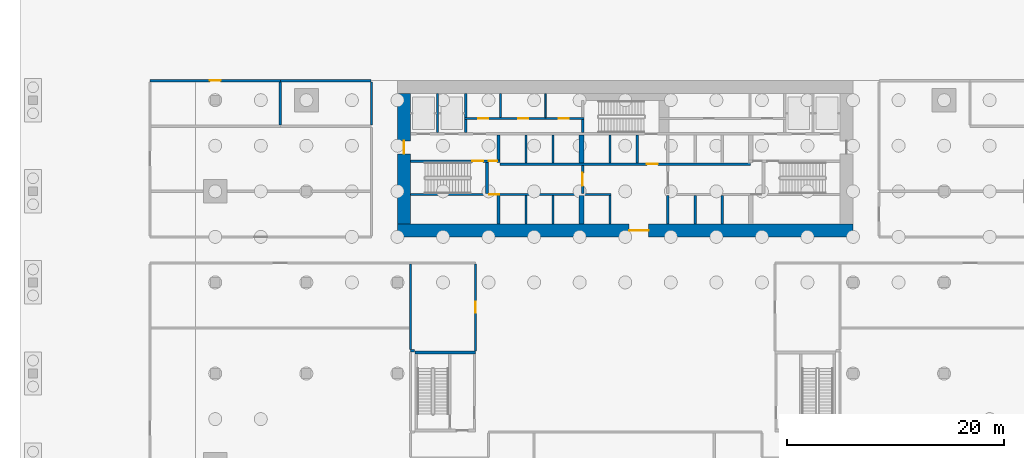
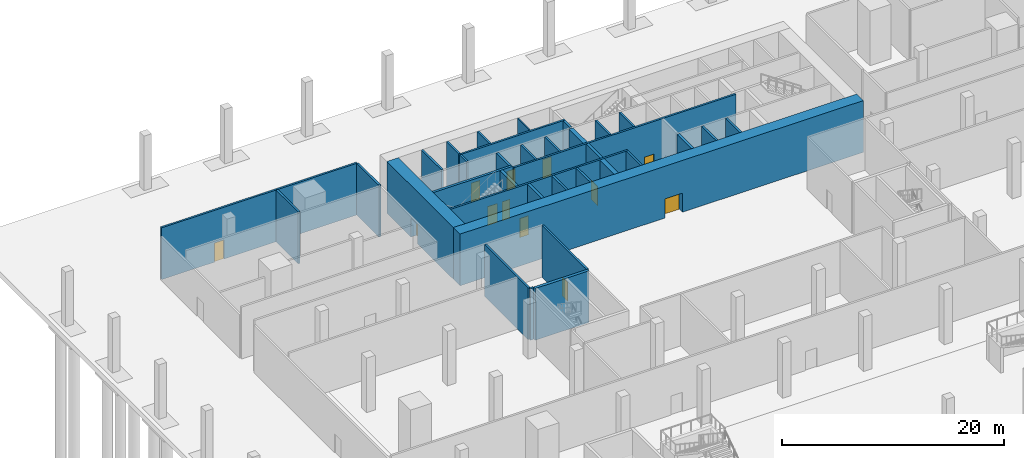
# One storey, part 6 of 16: 36 walls, 12 doors, 12 openings.
"""IFC4 building model written with IfcOpenShell, lengths in metres."""

from ifc_helpers import new_model, si_unit, direction, frame, frame_2d, origin, place, context, subcontext, project, spatial, rectangle, extrude, material, layer, layer_set, type_object, element, fill, save


model = new_model("IFC4")

# Units and contexts
model_context = context("Model", 3, precision=1e-05, world=origin(), true_north=direction((0.0, 1.0)))
body_context = subcontext(model_context, "Body", "Model", "MODEL_VIEW")
ifc_project = project(units=[si_unit("LENGTHUNIT", "METRE"), si_unit("AREAUNIT", "SQUARE_METRE"), si_unit("VOLUMEUNIT", "CUBIC_METRE"), si_unit("PLANEANGLEUNIT", "RADIAN"), si_unit("MASSUNIT", "GRAM", prefix="KILO")], contexts=[model_context])

# Site, building, storey
site_placement = place(None, origin())
site = spatial("IfcSite", under=ifc_project, at=site_placement, CompositionType="ELEMENT")
building_placement = place(site_placement, origin())
building = spatial("IfcBuilding", under=site, at=building_placement, Name="Saffron Gate Tower", CompositionType="ELEMENT")
storey_placement = place(building_placement, frame((0.0, 0.0, -6.0)))
storey = spatial("IfcBuildingStorey", under=building, at=storey_placement, Name="B1", CompositionType="ELEMENT", Elevation=-6.0)

# Wall, opening, door
ifc_material_1 = material(Name="Concrete C70", Category="concrete")
ifc_layer_1 = layer(ifc_material_1, 1.199951171875)
ifc_layer_set_1 = layer_set([ifc_layer_1], Name="CW1 RC core wall 1200 C70")
wall_type_1 = type_object("IfcWallType", Name="CW1 RC core wall 1200 C70", PredefinedType="SOLIDWALL", material=ifc_layer_set_1)
wall_1_placement = place(storey_placement, frame((66.60009765625, 61.800048828125, 0.0), z_axis=(0.0, 0.0, 1.0), x_axis=(1.0, 0.0, 0.0)))
wall_1 = element("IfcWall", 1, at=wall_1_placement, inside=storey, type_object=wall_type_1, Name="Wall CW1-B1-1", PredefinedType="SOLIDWALL", context=body_context, shape_type="SweptSolid", body=[
    extrude(rectangle(XDim=42.0, YDim=1.199951171875, at=frame_2d((21.0, 0.0))), origin(), (0.0, 0.0, 1.0), 5.699951171875),
])
opening_1_placement = place(wall_1_placement, frame((21.35009765625, 0.0, 0.0)))
opening_1 = element("IfcOpeningElement", 2, at=opening_1_placement, cuts=wall_1, Name="Opening CR-09", PredefinedType="OPENING", context=body_context, shape_type="SweptSolid", body=[
    extrude(rectangle(XDim=1.800048828125, YDim=2.10009765625, at=frame_2d((0.89990234375, 1.050048828125))), frame((0.0, 0.60986328125, 0.0), z_axis=(0.0, -1.0, 0.0), x_axis=(1.0, 0.0, 0.0)), (0.0, 0.0, 1.0), 1.219970703125),
])
ifc_material_2 = material(Name="Steel fire door set", Category="steel")
door_type_1 = type_object("IfcDoorType", Name="CD1 Core entrance door 1800x2100 EI 120", OperationType="NOTDEFINED", PredefinedType="DOOR", material=ifc_material_2)
door_1_placement = place(opening_1_placement, origin())
door_1 = element("IfcDoor", 3, at=door_1_placement, inside=storey, type_object=door_type_1, Name="DOOR CR-09", OperationType="DOUBLE_DOOR_SINGLE_SWING", OverallHeight=2.10009765625, OverallWidth=1.800048828125, PredefinedType="DOOR", context=body_context, shape_type="SweptSolid", body=[
    extrude(rectangle(XDim=1.800048828125, YDim=2.10009765625, at=frame_2d((0.89990234375, 1.050048828125))), frame((0.0, 0.02490234375, 0.0), z_axis=(0.0, -1.0, 0.0), x_axis=(1.0, 0.0, 0.0)), (0.0, 0.0, 1.0), 0.050048828125),
])
fill(opening_1, door_1)

wall_2_placement = place(storey_placement, frame((67.199951171875, 62.39990234375, 0.0), z_axis=(0.0, 0.0, 1.0), x_axis=(0.0, 1.0, 0.0)))
wall_2 = element("IfcWall", 4, at=wall_2_placement, inside=storey, type_object=wall_type_1, Name="Wall CW1-B1-3", PredefinedType="SOLIDWALL", context=body_context, shape_type="SweptSolid", body=[
    extrude(rectangle(XDim=12.0, YDim=1.199951171875, at=frame_2d((6.0, 0.0))), origin(), (0.0, 0.0, 1.0), 5.699951171875),
])
opening_2_placement = place(wall_2_placement, frame((6.449951171875, 0.0, 0.0)))
opening_2 = element("IfcOpeningElement", 5, at=opening_2_placement, cuts=wall_2, Name="Opening CR-10", PredefinedType="OPENING", context=body_context, shape_type="SweptSolid", body=[
    extrude(rectangle(XDim=1.199951171875, YDim=2.10009765625, at=frame_2d((0.60009765625, 1.050048828125))), frame((0.0, 0.60986328125, 0.0), z_axis=(0.0, -1.0, 0.0), x_axis=(1.0, 0.0, 0.0)), (0.0, 0.0, 1.0), 1.219970703125),
])
door_type_2 = type_object("IfcDoorType", Name="CD7 Core entrance door 1200x2100 EI 120", OperationType="NOTDEFINED", PredefinedType="DOOR", material=ifc_material_2)
door_2_placement = place(opening_2_placement, origin())
door_2 = element("IfcDoor", 6, at=door_2_placement, inside=storey, type_object=door_type_2, Name="DOOR CR-10", OperationType="SINGLE_SWING_LEFT", OverallHeight=2.10009765625, OverallWidth=1.199951171875, PredefinedType="DOOR", context=body_context, shape_type="SweptSolid", body=[
    extrude(rectangle(XDim=1.199951171875, YDim=2.10009765625, at=frame_2d((0.60009765625, 1.050048828125))), frame((0.0, 0.02490234375, 0.0), z_axis=(0.0, -1.0, 0.0), x_axis=(1.0, 0.0, 0.0)), (0.0, 0.0, 1.0), 0.050048828125),
])
fill(opening_2, door_2)

# Walls
ifc_layer_2 = layer(ifc_material_1, 0.25)
ifc_layer_set_2 = layer_set([ifc_layer_2], Name="CW2 RC core wall 250 C70")
wall_type_2 = type_object("IfcWallType", Name="CW2 RC core wall 250 C70", PredefinedType="SOLIDWALL", material=ifc_layer_set_2)
for number, where, z_axis, x_axis, name in (
    (7, (75.925048828125, 62.39990234375, 0.0), (0.0, 0.0, 1.0), (0.0, 1.0, 0.0), "Wall CW2-B1-5"),
    (8, (91.52490234375, 62.39990234375, 0.0), (0.0, 0.0, 1.0), (0.0, 1.0, 0.0), "Wall CW2-B1-10"),
):
    element("IfcWall", number, at=place(storey_placement, frame(where, z_axis=z_axis, x_axis=x_axis)), inside=storey, type_object=wall_type_2, Name=name, PredefinedType="SOLIDWALL", context=body_context, shape_type="SweptSolid", body=[
        extrude(rectangle(XDim=2.60009765625, YDim=0.25, at=frame_2d((1.300048828125, 0.0))), origin(), (0.0, 0.0, 1.0), 5.699951171875),
    ])

# Wall, opening, door
wall_3_placement = place(storey_placement, frame((83.675048828125, 65.199951171875, 0.0), z_axis=(0.0, 0.0, 1.0), x_axis=(0.0, 1.0, 0.0)))
wall_3 = element("IfcWall", 9, at=wall_3_placement, inside=storey, type_object=wall_type_2, Name="Wall CW2-B1-17", PredefinedType="SOLIDWALL", context=body_context, shape_type="SweptSolid", body=[
    extrude(rectangle(XDim=2.60009765625, YDim=0.25, at=frame_2d((1.300048828125, 0.0))), origin(), (0.0, 0.0, 1.0), 5.699951171875),
])
opening_3_placement = place(wall_3_placement, frame((0.699951171875, 0.0, 0.0)))
opening_3 = element("IfcOpeningElement", 10, at=opening_3_placement, cuts=wall_3, Name="Opening CR-07", PredefinedType="OPENING", context=body_context, shape_type="SweptSolid", body=[
    extrude(rectangle(XDim=1.199951171875, YDim=2.10009765625, at=frame_2d((0.60009765625, 1.050048828125))), frame((0.0, 0.135009765625, 0.0), z_axis=(0.0, -1.0, 0.0), x_axis=(1.0, 0.0, 0.0)), (0.0, 0.0, 1.0), 0.27001953125),
])
door_type_3 = type_object("IfcDoorType", Name="CD3 Lobby door 1200x2100 EI 120", OperationType="NOTDEFINED", PredefinedType="DOOR", material=ifc_material_2)
door_3_placement = place(opening_3_placement, origin())
door_3 = element("IfcDoor", 11, at=door_3_placement, inside=storey, type_object=door_type_3, Name="DOOR CR-07", OperationType="SINGLE_SWING_RIGHT", OverallHeight=2.10009765625, OverallWidth=1.199951171875, PredefinedType="DOOR", context=body_context, shape_type="SweptSolid", body=[
    extrude(rectangle(XDim=1.199951171875, YDim=2.10009765625, at=frame_2d((0.60009765625, 1.050048828125))), frame((0.0, 0.02490234375, 0.0), z_axis=(0.0, -1.0, 0.0), x_axis=(1.0, 0.0, 0.0)), (0.0, 0.0, 1.0), 0.050048828125),
])
fill(opening_3, door_3)

# Wall, openings, doors
wall_4_placement = place(storey_placement, frame((67.800048828125, 68.175048828125, 0.0), z_axis=(0.0, 0.0, 1.0), x_axis=(1.0, 0.0, 0.0)))
wall_4 = element("IfcWall", 12, at=wall_4_placement, inside=storey, type_object=wall_type_2, Name="Wall CW2-B1-30", PredefinedType="SOLIDWALL", context=body_context, shape_type="SweptSolid", body=[
    extrude(rectangle(XDim=8.25, YDim=0.25, at=frame_2d((4.125, 0.0))), origin(), (0.0, 0.0, 1.0), 5.699951171875),
])
opening_4_placement = place(wall_4_placement, frame((5.699951171875, 0.0, 0.0)))
opening_4 = element("IfcOpeningElement", 13, at=opening_4_placement, cuts=wall_4, Name="Opening CR-15", PredefinedType="OPENING", context=body_context, shape_type="SweptSolid", body=[
    extrude(rectangle(XDim=1.0, YDim=2.10009765625, at=frame_2d((0.5, 1.050048828125))), frame((0.0, 0.135009765625, 0.0), z_axis=(0.0, -1.0, 0.0), x_axis=(1.0, 0.0, 0.0)), (0.0, 0.0, 1.0), 0.27001953125),
])
opening_5_placement = place(wall_4_placement, frame((7.199951171875, 0.0, 0.0)))
opening_5 = element("IfcOpeningElement", 14, at=opening_5_placement, cuts=wall_4, Name="Opening CR-06", PredefinedType="OPENING", context=body_context, shape_type="SweptSolid", body=[
    extrude(rectangle(XDim=0.800048828125, YDim=2.10009765625, at=frame_2d((0.39990234375, 1.050048828125))), frame((0.0, 0.135009765625, 0.0), z_axis=(0.0, -1.0, 0.0), x_axis=(1.0, 0.0, 0.0)), (0.0, 0.0, 1.0), 0.27001953125),
])
door_type_4 = type_object("IfcDoorType", Name="CD5 Stair door 1000x2100 EI 120", OperationType="NOTDEFINED", PredefinedType="DOOR", material=ifc_material_2)
door_4_placement = place(opening_4_placement, origin())
door_4 = element("IfcDoor", 15, at=door_4_placement, inside=storey, type_object=door_type_4, Name="DOOR CR-15", OperationType="SINGLE_SWING_RIGHT", OverallHeight=2.10009765625, OverallWidth=1.0, PredefinedType="DOOR", context=body_context, shape_type="SweptSolid", body=[
    extrude(rectangle(XDim=1.0, YDim=2.10009765625, at=frame_2d((0.5, 1.050048828125))), frame((0.0, 0.02490234375, 0.0), z_axis=(0.0, -1.0, 0.0), x_axis=(1.0, 0.0, 0.0)), (0.0, 0.0, 1.0), 0.050048828125),
])
fill(opening_4, door_4)
door_type_5 = type_object("IfcDoorType", Name="CD6 Lobby door 800x2100 EI 120", OperationType="NOTDEFINED", PredefinedType="DOOR", material=ifc_material_2)
door_5_placement = place(opening_5_placement, origin())
door_5 = element("IfcDoor", 16, at=door_5_placement, inside=storey, type_object=door_type_5, Name="DOOR CR-06", OperationType="SINGLE_SWING_LEFT", OverallHeight=2.10009765625, OverallWidth=0.800048828125, PredefinedType="DOOR", context=body_context, shape_type="SweptSolid", body=[
    extrude(rectangle(XDim=0.800048828125, YDim=2.10009765625, at=frame_2d((0.39990234375, 1.050048828125))), frame((0.0, 0.02490234375, 0.0), z_axis=(0.0, -1.0, 0.0), x_axis=(1.0, 0.0, 0.0)), (0.0, 0.0, 1.0), 0.050048828125),
])
fill(opening_5, door_5)

# Walls
wall_5_placement = place(storey_placement, frame((75.925048828125, 68.300048828125, 0.0), z_axis=(0.0, 0.0, 1.0), x_axis=(0.0, 1.0, 0.0)))
element("IfcWall", 17, at=wall_5_placement, inside=storey, type_object=wall_type_2, Name="Wall CW2-B1-32", PredefinedType="SOLIDWALL", context=body_context, shape_type="SweptSolid", body=[
    extrude(rectangle(XDim=2.300048828125, YDim=0.25, at=frame_2d((1.14990234375, 0.0))), origin(), (0.0, 0.0, 1.0), 5.699951171875),
])
wall_6_placement = place(storey_placement, frame((83.675048828125, 70.800048828125, 0.0), z_axis=(0.0, 0.0, 1.0), x_axis=(0.0, 1.0, 0.0)))
element("IfcWall", 18, at=wall_6_placement, inside=storey, type_object=wall_type_2, Name="Wall CW2-B1-37", PredefinedType="SOLIDWALL", context=body_context, shape_type="SweptSolid", body=[
    extrude(rectangle(XDim=1.199951171875, YDim=0.25, at=frame_2d((0.60009765625, 0.0))), origin(), (0.0, 0.0, 1.0), 5.699951171875),
])
ifc_layer_3 = layer(ifc_material_1, 0.199951171875)
ifc_layer_set_3 = layer_set([ifc_layer_3], Name="CW3 RC core wall 200 C70")
wall_type_3 = type_object("IfcWallType", Name="CW3 RC core wall 200 C70", PredefinedType="SOLIDWALL", material=ifc_layer_set_3)
for number, where, z_axis, x_axis, name in (
    (19, (78.449951171875, 62.39990234375, 0.0), (0.0, 0.0, 1.0), (0.0, 1.0, 0.0), "Wall CW3-B1-6"),
    (20, (80.949951171875, 62.39990234375, 0.0), (0.0, 0.0, 1.0), (0.0, 1.0, 0.0), "Wall CW3-B1-7"),
    (21, (86.199951171875, 62.39990234375, 0.0), (0.0, 0.0, 1.0), (0.0, 1.0, 0.0), "Wall CW3-B1-9"),
    (22, (94.050048828125, 62.39990234375, 0.0), (0.0, 0.0, 1.0), (0.0, 1.0, 0.0), "Wall CW3-B1-11"),
    (23, (96.550048828125, 62.39990234375, 0.0), (0.0, 0.0, 1.0), (0.0, 1.0, 0.0), "Wall CW3-B1-12"),
):
    element("IfcWall", number, at=place(storey_placement, frame(where, z_axis=z_axis, x_axis=x_axis)), inside=storey, type_object=wall_type_3, Name=name, PredefinedType="SOLIDWALL", context=body_context, shape_type="SweptSolid", body=[
        extrude(rectangle(XDim=2.60009765625, YDim=0.199951171875, at=frame_2d((1.300048828125, 0.0))), origin(), (0.0, 0.0, 1.0), 5.699951171875),
    ])

# Wall, opening, door
wall_7_placement = place(storey_placement, frame((67.800048828125, 65.10009765625, 0.0), z_axis=(0.0, 0.0, 1.0), x_axis=(1.0, 0.0, 0.0)))
wall_7 = element("IfcWall", 24, at=wall_7_placement, inside=storey, type_object=wall_type_3, Name="Wall CW3-B1-14", PredefinedType="SOLIDWALL", context=body_context, shape_type="SweptSolid", body=[
    extrude(rectangle(XDim=18.5, YDim=0.199951171875, at=frame_2d((9.25, 0.0))), origin(), (0.0, 0.0, 1.0), 5.699951171875),
])
opening_6_placement = place(wall_7_placement, frame((7.27001953125, 0.0, 0.0)))
opening_6 = element("IfcOpeningElement", 25, at=opening_6_placement, cuts=wall_7, Name="Opening CR-49", PredefinedType="OPENING", context=body_context, shape_type="SweptSolid", body=[
    extrude(rectangle(XDim=0.89990234375, YDim=2.10009765625, at=frame_2d((0.449951171875, 1.050048828125))), frame((0.0, 0.10986328125, 0.0), z_axis=(0.0, -1.0, 0.0), x_axis=(1.0, 0.0, 0.0)), (0.0, 0.0, 1.0), 0.219970703125),
])
door_type_6 = type_object("IfcDoorType", Name="CD2 Riser door 900x2100 EI 60", OperationType="NOTDEFINED", PredefinedType="DOOR", material=ifc_material_2)
door_6_placement = place(opening_6_placement, origin())
door_6 = element("IfcDoor", 26, at=door_6_placement, inside=storey, type_object=door_type_6, Name="DOOR CR-49", OperationType="SINGLE_SWING_LEFT", OverallHeight=2.10009765625, OverallWidth=0.89990234375, PredefinedType="DOOR", context=body_context, shape_type="SweptSolid", body=[
    extrude(rectangle(XDim=0.89990234375, YDim=2.10009765625, at=frame_2d((0.449951171875, 1.050048828125))), frame((0.0, 0.02490234375, 0.0), z_axis=(0.0, -1.0, 0.0), x_axis=(1.0, 0.0, 0.0)), (0.0, 0.0, 1.0), 0.050048828125),
])
fill(opening_6, door_6)

wall_8_placement = place(storey_placement, frame((76.050048828125, 67.89990234375, 0.0), z_axis=(0.0, 0.0, 1.0), x_axis=(1.0, 0.0, 0.0)))
wall_8 = element("IfcWall", 27, at=wall_8_placement, inside=storey, type_object=wall_type_3, Name="Wall CW3-B1-20", PredefinedType="SOLIDWALL", context=body_context, shape_type="SweptSolid", body=[
    extrude(rectangle(XDim=23.099853515625, YDim=0.199951171875, at=frame_2d((11.5498046875, 0.0))), origin(), (0.0, 0.0, 1.0), 5.699951171875),
])
opening_7_placement = place(wall_8_placement, frame((13.550048828125, 0.0, 0.0)))
opening_7 = element("IfcOpeningElement", 28, at=opening_7_placement, cuts=wall_8, Name="Opening CR-02", PredefinedType="OPENING", context=body_context, shape_type="SweptSolid", body=[
    extrude(rectangle(XDim=1.0, YDim=2.10009765625, at=frame_2d((0.5, 1.050048828125))), frame((0.0, 0.10986328125, 0.0), z_axis=(0.0, -1.0, 0.0), x_axis=(1.0, 0.0, 0.0)), (0.0, 0.0, 1.0), 0.219970703125),
])
door_type_7 = type_object("IfcDoorType", Name="CD4 Lobby door 1000x2100 EI 120", OperationType="NOTDEFINED", PredefinedType="DOOR", material=ifc_material_2)
door_7_placement = place(opening_7_placement, origin())
door_7 = element("IfcDoor", 29, at=door_7_placement, inside=storey, type_object=door_type_7, Name="DOOR CR-02", OperationType="SINGLE_SWING_LEFT", OverallHeight=2.10009765625, OverallWidth=1.0, PredefinedType="DOOR", context=body_context, shape_type="SweptSolid", body=[
    extrude(rectangle(XDim=1.0, YDim=2.10009765625, at=frame_2d((0.5, 1.050048828125))), frame((0.0, 0.02490234375, 0.0), z_axis=(0.0, -1.0, 0.0), x_axis=(1.0, 0.0, 0.0)), (0.0, 0.0, 1.0), 0.050048828125),
])
fill(opening_7, door_7)

# Walls
for number, where, z_axis, x_axis, name in (
    (30, (78.449951171875, 68.0, 0.0), (0.0, 0.0, 1.0), (0.0, 1.0, 0.0), "Wall CW3-B1-21"),
    (31, (80.949951171875, 68.0, 0.0), (0.0, 0.0, 1.0), (0.0, 1.0, 0.0), "Wall CW3-B1-22"),
    (32, (86.199951171875, 68.0, 0.0), (0.0, 0.0, 1.0), (0.0, 1.0, 0.0), "Wall CW3-B1-24"),
    (33, (88.699951171875, 68.0, 0.0), (0.0, 0.0, 1.0), (0.0, 1.0, 0.0), "Wall CW3-B1-25"),
):
    element("IfcWall", number, at=place(storey_placement, frame(where, z_axis=z_axis, x_axis=x_axis)), inside=storey, type_object=wall_type_3, Name=name, PredefinedType="SOLIDWALL", context=body_context, shape_type="SweptSolid", body=[
        extrude(rectangle(XDim=2.60009765625, YDim=0.199951171875, at=frame_2d((1.300048828125, 0.0))), origin(), (0.0, 0.0, 1.0), 5.699951171875),
    ])
wall_9_placement = place(storey_placement, frame((70.300048828125, 70.800048828125, 0.0), z_axis=(0.0, 0.0, 1.0), x_axis=(0.0, 1.0, 0.0)))
element("IfcWall", 34, at=wall_9_placement, inside=storey, type_object=wall_type_3, Name="Wall CW3-B1-35", PredefinedType="SOLIDWALL", context=body_context, shape_type="SweptSolid", body=[
    extrude(rectangle(XDim=3.599853515625, YDim=0.199951171875, at=frame_2d((1.7998046875, 0.0))), origin(), (0.0, 0.0, 1.0), 5.699951171875),
])
wall_10_placement = place(storey_placement, frame((72.89990234375, 70.800048828125, 0.0), z_axis=(0.0, 0.0, 1.0), x_axis=(0.0, 1.0, 0.0)))
element("IfcWall", 35, at=wall_10_placement, inside=storey, type_object=wall_type_3, Name="Wall CW3-B1-36", PredefinedType="SOLIDWALL", context=body_context, shape_type="SweptSolid", body=[
    extrude(rectangle(XDim=1.199951171875, YDim=0.199951171875, at=frame_2d((0.60009765625, 0.0))), origin(), (0.0, 0.0, 1.0), 5.699951171875),
])

# Wall, openings, doors
wall_11_placement = place(storey_placement, frame((72.800048828125, 72.10009765625, 0.0), z_axis=(0.0, 0.0, 1.0), x_axis=(1.0, 0.0, 0.0)))
wall_11 = element("IfcWall", 36, at=wall_11_placement, inside=storey, type_object=wall_type_3, Name="Wall CW3-B1-41", PredefinedType="SOLIDWALL", context=body_context, shape_type="SweptSolid", body=[
    extrude(rectangle(XDim=11.0, YDim=0.199951171875, at=frame_2d((5.5, 0.0))), origin(), (0.0, 0.0, 1.0), 5.699951171875),
])
opening_8_placement = place(wall_11_placement, frame((1.25, 0.0, 0.0)))
opening_8 = element("IfcOpeningElement", 37, at=opening_8_placement, cuts=wall_11, Name="Opening CR-71", PredefinedType="OPENING", context=body_context, shape_type="SweptSolid", body=[
    extrude(rectangle(XDim=0.89990234375, YDim=2.10009765625, at=frame_2d((0.449951171875, 1.050048828125))), frame((0.0, 0.10986328125, 0.0), z_axis=(0.0, -1.0, 0.0), x_axis=(1.0, 0.0, 0.0)), (0.0, 0.0, 1.0), 0.219970703125),
])
opening_9_placement = place(wall_11_placement, frame((4.949951171875, 0.0, 0.0)))
opening_9 = element("IfcOpeningElement", 38, at=opening_9_placement, cuts=wall_11, Name="Opening CR-56", PredefinedType="OPENING", context=body_context, shape_type="SweptSolid", body=[
    extrude(rectangle(XDim=0.89990234375, YDim=2.10009765625, at=frame_2d((0.449951171875, 1.050048828125))), frame((0.0, 0.10986328125, 0.0), z_axis=(0.0, -1.0, 0.0), x_axis=(1.0, 0.0, 0.0)), (0.0, 0.0, 1.0), 0.219970703125),
])
opening_10_placement = place(wall_11_placement, frame((8.68505859375, 0.0, 0.0)))
opening_10 = element("IfcOpeningElement", 39, at=opening_10_placement, cuts=wall_11, Name="Opening CR-58", PredefinedType="OPENING", context=body_context, shape_type="SweptSolid", body=[
    extrude(rectangle(XDim=0.89990234375, YDim=2.10009765625, at=frame_2d((0.449951171875, 1.050048828125))), frame((0.0, 0.10986328125, 0.0), z_axis=(0.0, -1.0, 0.0), x_axis=(1.0, 0.0, 0.0)), (0.0, 0.0, 1.0), 0.219970703125),
])
door_8_placement = place(opening_8_placement, origin())
door_8 = element("IfcDoor", 40, at=door_8_placement, inside=storey, type_object=door_type_6, Name="DOOR CR-71", OperationType="SINGLE_SWING_LEFT", OverallHeight=2.10009765625, OverallWidth=0.89990234375, PredefinedType="DOOR", context=body_context, shape_type="SweptSolid", body=[
    extrude(rectangle(XDim=0.89990234375, YDim=2.10009765625, at=frame_2d((0.449951171875, 1.050048828125))), frame((0.0, 0.02490234375, 0.0), z_axis=(0.0, -1.0, 0.0), x_axis=(1.0, 0.0, 0.0)), (0.0, 0.0, 1.0), 0.050048828125),
])
fill(opening_8, door_8)
door_type_8 = type_object("IfcDoorType", Name="CD8 Room door 900x2100 EI 120", OperationType="NOTDEFINED", PredefinedType="DOOR", material=ifc_material_2)
door_9_placement = place(opening_9_placement, origin())
door_9 = element("IfcDoor", 41, at=door_9_placement, inside=storey, type_object=door_type_8, Name="DOOR CR-56", OperationType="SINGLE_SWING_LEFT", OverallHeight=2.10009765625, OverallWidth=0.89990234375, PredefinedType="DOOR", context=body_context, shape_type="SweptSolid", body=[
    extrude(rectangle(XDim=0.89990234375, YDim=2.10009765625, at=frame_2d((0.449951171875, 1.050048828125))), frame((0.0, 0.02490234375, 0.0), z_axis=(0.0, -1.0, 0.0), x_axis=(1.0, 0.0, 0.0)), (0.0, 0.0, 1.0), 0.050048828125),
])
fill(opening_9, door_9)
door_type_9 = type_object("IfcDoorType", Name="CD9 Room door 900x2100 EI 60", OperationType="NOTDEFINED", PredefinedType="DOOR", material=ifc_material_2)
door_10_placement = place(opening_10_placement, origin())
door_10 = element("IfcDoor", 42, at=door_10_placement, inside=storey, type_object=door_type_9, Name="DOOR CR-58", OperationType="SINGLE_SWING_LEFT", OverallHeight=2.10009765625, OverallWidth=0.89990234375, PredefinedType="DOOR", context=body_context, shape_type="SweptSolid", body=[
    extrude(rectangle(XDim=0.89990234375, YDim=2.10009765625, at=frame_2d((0.449951171875, 1.050048828125))), frame((0.0, 0.02490234375, 0.0), z_axis=(0.0, -1.0, 0.0), x_axis=(1.0, 0.0, 0.0)), (0.0, 0.0, 1.0), 0.050048828125),
])
fill(opening_10, door_10)

# Walls
for number, where, z_axis, x_axis, name in (
    (43, (72.89990234375, 72.199951171875, 0.0), (0.0, 0.0, 1.0), (0.0, 1.0, 0.0), "Wall CW3-B1-43"),
    (44, (76.10009765625, 72.199951171875, 0.0), (0.0, 0.0, 1.0), (0.0, 1.0, 0.0), "Wall CW3-B1-44"),
):
    element("IfcWall", number, at=place(storey_placement, frame(where, z_axis=z_axis, x_axis=x_axis)), inside=storey, type_object=wall_type_3, Name=name, PredefinedType="SOLIDWALL", context=body_context, shape_type="SweptSolid", body=[
        extrude(rectangle(XDim=2.199951171875, YDim=0.199951171875, at=frame_2d((1.10009765625, 0.0))), origin(), (0.0, 0.0, 1.0), 5.699951171875),
    ])
ifc_layer_4 = layer(ifc_material_1, 0.449951171875)
ifc_layer_set_4 = layer_set([ifc_layer_4], Name="CW4 RC core wall 450 C70")
wall_type_4 = type_object("IfcWallType", Name="CW4 RC core wall 450 C70", PredefinedType="SOLIDWALL", material=ifc_layer_set_4)
for number, where, z_axis, x_axis, name in (
    (45, (83.574951171875, 62.39990234375, 0.0), (0.0, 0.0, 1.0), (0.0, 1.0, 0.0), "Wall CW4-B1-8"),
    (46, (83.574951171875, 68.0, 0.0), (0.0, 0.0, 1.0), (0.0, 1.0, 0.0), "Wall CW4-B1-23"),
):
    element("IfcWall", number, at=place(storey_placement, frame(where, z_axis=z_axis, x_axis=x_axis)), inside=storey, type_object=wall_type_4, Name=name, PredefinedType="SOLIDWALL", context=body_context, shape_type="SweptSolid", body=[
        extrude(rectangle(XDim=2.60009765625, YDim=0.449951171875, at=frame_2d((1.300048828125, 0.0))), origin(), (0.0, 0.0, 1.0), 5.699951171875),
    ])
ifc_layer_5 = layer(ifc_material_1, 0.300048828125)
ifc_layer_set_5 = layer_set([ifc_layer_5], Name="CW5 RC core wall 300 C70")
wall_type_5 = type_object("IfcWallType", Name="CW5 RC core wall 300 C70", PredefinedType="SOLIDWALL", material=ifc_layer_set_5)
wall_12_placement = place(storey_placement, frame((74.85009765625, 65.199951171875, 0.0), z_axis=(0.0, 0.0, 1.0), x_axis=(0.0, 1.0, 0.0)))
element("IfcWall", 47, at=wall_12_placement, inside=storey, type_object=wall_type_5, Name="Wall CW5-B1-16", PredefinedType="SOLIDWALL", context=body_context, shape_type="SweptSolid", body=[
    extrude(rectangle(XDim=2.85009765625, YDim=0.300048828125, at=frame_2d((1.425048828125, 0.0))), origin(), (0.0, 0.0, 1.0), 5.699951171875),
])
wall_13_placement = place(storey_placement, frame((68.199951171875, 50.550048828125, 0.0), z_axis=(0.0, 0.0, 1.0), x_axis=(1.0, 0.0, 0.0)))
element("IfcWall", 48, at=wall_13_placement, inside=storey, type_object=wall_type_5, Name="Wall CW5-B1-D-5", PredefinedType="SOLIDWALL", context=body_context, shape_type="SweptSolid", body=[
    extrude(rectangle(XDim=5.60009765625, YDim=0.300048828125, at=frame_2d((2.800048828125, 0.0))), origin(), (0.0, 0.0, 1.0), 5.699951171875),
])
ifc_material_3 = material(Name="Gypsum board partition on steel studs", Category="steel")
ifc_layer_6 = layer(ifc_material_3, 0.1201171875)
ifc_layer_set_6 = layer_set([ifc_layer_6], Name="CW8 Core partition 120")
wall_type_6 = type_object("IfcWallType", Name="CW8 Core partition 120", PredefinedType="PARTITIONING", material=ifc_layer_set_6)
wall_14_placement = place(storey_placement, frame((80.260009765625, 72.199951171875, 0.0), z_axis=(0.0, 0.0, 1.0), x_axis=(0.0, 1.0, 0.0)))
element("IfcWall", 49, at=wall_14_placement, inside=storey, type_object=wall_type_6, Name="Wall CW8-B1-45", PredefinedType="PARTITIONING", context=body_context, shape_type="SweptSolid", body=[
    extrude(rectangle(XDim=2.199951171875, YDim=0.1201171875, at=frame_2d((1.10009765625, 0.0))), origin(), (0.0, 0.0, 1.0), 5.699951171875),
])

# Wall, opening, door
ifc_material_4 = material(Name="Clay brick masonry, rendered", Category="masonry")
ifc_layer_7 = layer(ifc_material_4, 0.199951171875)
ifc_layer_set_7 = layer_set([ifc_layer_7], Name="PW3 Corridor wall 200")
wall_type_7 = type_object("IfcWallType", Name="PW3 Corridor wall 200", PredefinedType="PARTITIONING", material=ifc_layer_set_7)
wall_15_placement = place(storey_placement, frame((55.800048828125, 75.60009765625, 0.0), z_axis=(0.0, 0.0, 1.0), x_axis=(-1.0, 0.0, 0.0)))
wall_15 = element("IfcWall", 50, at=wall_15_placement, inside=storey, type_object=wall_type_7, Name="Wall BS-26", PredefinedType="PARTITIONING", context=body_context, shape_type="SweptSolid", body=[
    extrude(rectangle(XDim=12.0, YDim=0.199951171875, at=frame_2d((6.0, 0.0))), origin(), (0.0, 0.0, 1.0), 5.699951171875),
])
opening_11_placement = place(wall_15_placement, frame((5.5, 0.0, 0.0)))
opening_11 = element("IfcOpeningElement", 51, at=opening_11_placement, cuts=wall_15, Name="Opening BS-3", PredefinedType="OPENING", context=body_context, shape_type="SweptSolid", body=[
    extrude(rectangle(XDim=1.0, YDim=2.10009765625, at=frame_2d((0.5, 1.050048828125))), frame((0.0, 0.10986328125, 0.0), z_axis=(0.0, -1.0, 0.0), x_axis=(1.0, 0.0, 0.0)), (0.0, 0.0, 1.0), 0.219970703125),
])
ifc_material_5 = material(Name="Timber door set", Category="wood")
door_type_10 = type_object("IfcDoorType", Name="RD1 Room door 900x2100", OperationType="NOTDEFINED", PredefinedType="DOOR", material=ifc_material_5)
door_11_placement = place(opening_11_placement, origin())
door_11 = element("IfcDoor", 52, at=door_11_placement, inside=storey, type_object=door_type_10, Name="Door BS-3", OperationType="SINGLE_SWING_RIGHT", OverallHeight=2.10009765625, OverallWidth=1.0, PredefinedType="DOOR", context=body_context, shape_type="SweptSolid", body=[
    extrude(rectangle(XDim=1.0, YDim=2.10009765625, at=frame_2d((0.5, 1.050048828125))), frame((0.0, 0.02490234375, 0.0), z_axis=(0.0, -1.0, 0.0), x_axis=(1.0, 0.0, 0.0)), (0.0, 0.0, 1.0), 0.050048828125),
])
fill(opening_11, door_11)

wall_16_placement = place(storey_placement, frame((73.800048828125, 50.699951171875, 0.0), z_axis=(0.0, 0.0, 1.0), x_axis=(0.0, 1.0, 0.0)))
wall_16 = element("IfcWall", 53, at=wall_16_placement, inside=storey, type_object=wall_type_7, Name="Wall BS-39", PredefinedType="PARTITIONING", context=body_context, shape_type="SweptSolid", body=[
    extrude(rectangle(XDim=8.0, YDim=0.199951171875, at=frame_2d((4.0, 0.0))), origin(), (0.0, 0.0, 1.0), 5.699951171875),
])
opening_12_placement = place(wall_16_placement, frame((3.5, 0.0, 0.0)))
opening_12 = element("IfcOpeningElement", 54, at=opening_12_placement, cuts=wall_16, Name="Opening BS-5", PredefinedType="OPENING", context=body_context, shape_type="SweptSolid", body=[
    extrude(rectangle(XDim=1.0, YDim=2.10009765625, at=frame_2d((0.5, 1.050048828125))), frame((0.0, 0.10986328125, 0.0), z_axis=(0.0, -1.0, 0.0), x_axis=(1.0, 0.0, 0.0)), (0.0, 0.0, 1.0), 0.219970703125),
])
door_12_placement = place(opening_12_placement, origin())
door_12 = element("IfcDoor", 55, at=door_12_placement, inside=storey, type_object=door_type_10, Name="Door BS-5", OperationType="SINGLE_SWING_LEFT", OverallHeight=2.10009765625, OverallWidth=1.0, PredefinedType="DOOR", context=body_context, shape_type="SweptSolid", body=[
    extrude(rectangle(XDim=1.0, YDim=2.10009765625, at=frame_2d((0.5, 1.050048828125))), frame((0.0, 0.02490234375, 0.0), z_axis=(0.0, -1.0, 0.0), x_axis=(1.0, 0.0, 0.0)), (0.0, 0.0, 1.0), 0.050048828125),
])
fill(opening_12, door_12)

# Walls
ifc_layer_8 = layer(ifc_material_4, 0.199951171875)
ifc_layer_set_8 = layer_set([ifc_layer_8], Name="PW5 Room wall 200")
wall_type_8 = type_object("IfcWallType", Name="PW5 Room wall 200", PredefinedType="PARTITIONING", material=ifc_layer_set_8)
wall_17_placement = place(storey_placement, frame((67.820068359375, 50.699951171875, 0.0), z_axis=(0.0, 0.0, 1.0), x_axis=(1.0, 0.0, 0.0)))
element("IfcWall", 56, at=wall_17_placement, inside=storey, type_object=wall_type_8, Name="Wall BS-7", PredefinedType="PARTITIONING", context=body_context, shape_type="SweptSolid", body=[
    extrude(rectangle(XDim=0.329833984375, YDim=0.199951171875, at=frame_2d((0.1650390625, 0.0))), origin(), (0.0, 0.0, 1.0), 5.699951171875),
])
wall_18_placement = place(storey_placement, frame((55.820068359375, 75.60009765625, 0.0), z_axis=(0.0, 0.0, 1.0), x_axis=(1.0, 0.0, 0.0)))
element("IfcWall", 57, at=wall_18_placement, inside=storey, type_object=wall_type_8, Name="Wall BS-28", PredefinedType="PARTITIONING", context=body_context, shape_type="SweptSolid", body=[
    extrude(rectangle(XDim=8.35986328125, YDim=0.199951171875, at=frame_2d((4.179931640625, 0.0))), origin(), (0.0, 0.0, 1.0), 5.699951171875),
])
for number, where, z_axis, x_axis, name in (
    (58, (55.800048828125, 75.5, 0.0), (0.0, 0.0, 1.0), (0.0, -1.0, 0.0), "Wall BS-32"),
    (59, (64.199951171875, 75.5, 0.0), (0.0, 0.0, 1.0), (0.0, -1.0, 0.0), "Wall BS-34"),
):
    element("IfcWall", number, at=place(storey_placement, frame(where, z_axis=z_axis, x_axis=x_axis)), inside=storey, type_object=wall_type_8, Name=name, PredefinedType="PARTITIONING", context=body_context, shape_type="SweptSolid", body=[
        extrude(rectangle(XDim=4.0, YDim=0.199951171875, at=frame_2d((2.0, 0.0))), origin(), (0.0, 0.0, 1.0), 5.699951171875),
    ])
wall_19_placement = place(storey_placement, frame((67.800048828125, 58.699951171875, 0.0), z_axis=(0.0, 0.0, 1.0), x_axis=(0.0, -1.0, 0.0)))
element("IfcWall", 60, at=wall_19_placement, inside=storey, type_object=wall_type_8, Name="Wall BS-38", PredefinedType="PARTITIONING", context=body_context, shape_type="SweptSolid", body=[
    extrude(rectangle(XDim=7.89990234375, YDim=0.199951171875, at=frame_2d((3.949951171875, 0.0))), origin(), (0.0, 0.0, 1.0), 5.699951171875),
])

save(model, "model.ifc")
